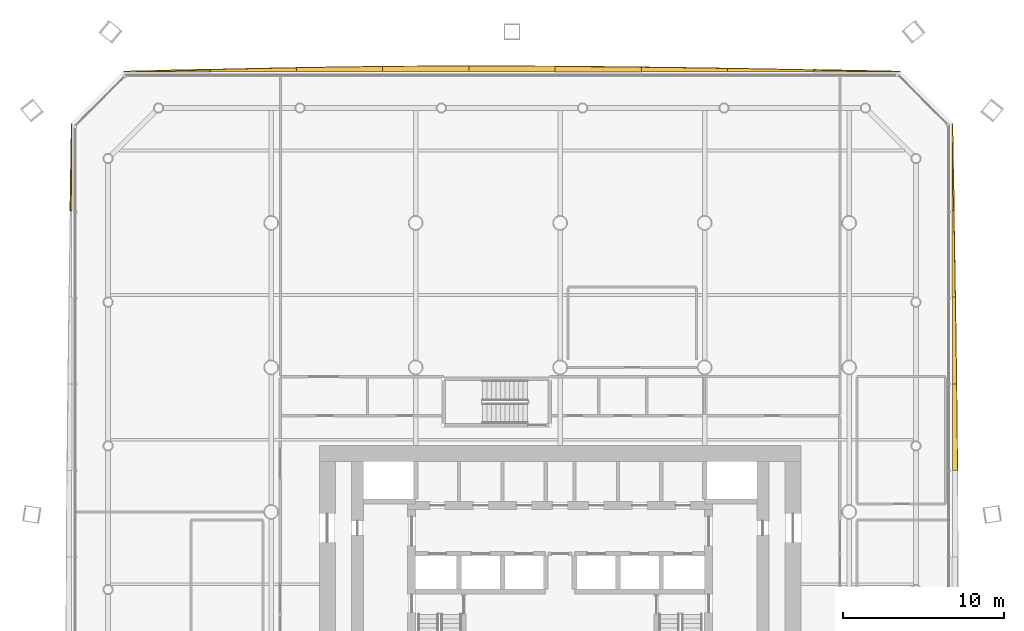
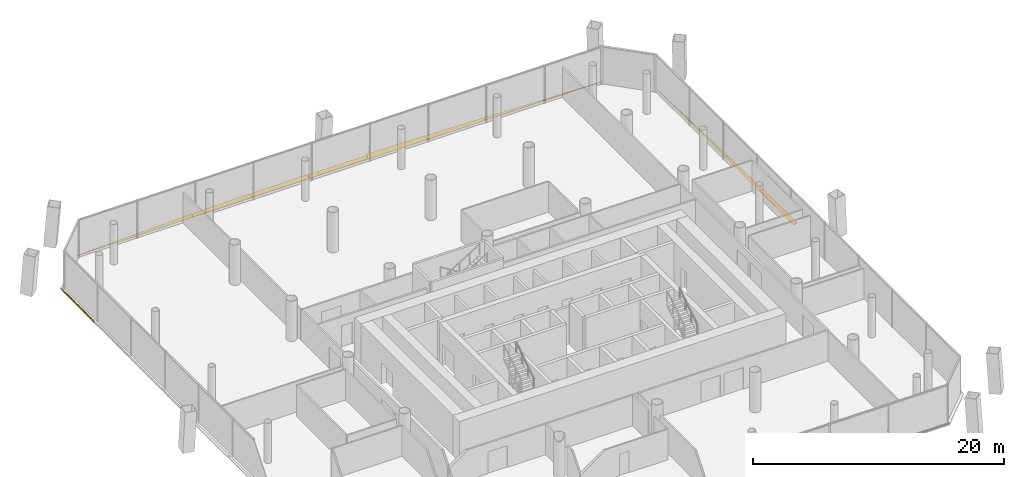
# One storey, part 22 of 22: 14 shading devices.
"""IFC4 building model written with IfcOpenShell, lengths in metres."""

from ifc_helpers import new_model, si_unit, direction, frame, origin, place, context, subcontext, project, spatial, polyline, outline, extrude, material, layer, layer_set, type_object, element, save


model = new_model("IFC4")

# Units and contexts
model_context = context("Model", 3, precision=1e-05, world=origin(), true_north=direction((0.0, 1.0)))
body_context = subcontext(model_context, "Body", "Model", "MODEL_VIEW")
ifc_project = project(units=[si_unit("LENGTHUNIT", "METRE"), si_unit("AREAUNIT", "SQUARE_METRE"), si_unit("VOLUMEUNIT", "CUBIC_METRE"), si_unit("PLANEANGLEUNIT", "RADIAN"), si_unit("MASSUNIT", "GRAM", prefix="KILO")], contexts=[model_context])

# Site, building, storey
site_placement = place(None, origin())
site = spatial("IfcSite", under=ifc_project, at=site_placement, CompositionType="ELEMENT")
building_placement = place(site_placement, origin())
building = spatial("IfcBuilding", under=site, at=building_placement, Name="Tskaro Facet Tower", CompositionType="ELEMENT")
storey_placement = place(building_placement, frame((0.0, 0.0, 30.300048828125)))
storey = spatial("IfcBuildingStorey", under=building, at=storey_placement, Name="L06", CompositionType="ELEMENT", Elevation=30.300048828125)

# Shading devices
ifc_material = material(Name="Bronze anodised aluminium 6063-T6", Category="aluminium")
ifc_layer = layer(ifc_material, 0.06005859375, Name="Bronze anodised aluminium 6063-T6")
ifc_layer_set = layer_set([ifc_layer], Name="Bronze anodised aluminium 6063-T6")
shading_device_type = type_object("IfcShadingDeviceType", Name="Bronze sun blade (FN1)", PredefinedType="USERDEFINED", material=ifc_layer_set)
shading_device_1_placement = place(storey_placement, frame((24.4267578125, 2.579345703125, 0.054443359375), z_axis=(-0.422529960316, 7.048653e-06, 0.906348957403), x_axis=(2.978267e-06, 0.999999999975, -6.388539e-06)))
element("IfcShadingDevice", 1, at=shading_device_1_placement, inside=storey, type_object=shading_device_type, Name="Fin blade east 6", ObjectType="FIN", PredefinedType="USERDEFINED", context=body_context, shape_type="SweptSolid", body=[
    extrude(outline(polyline([(0.0, 0.0), (5.397705077990912, 2.286017020366861e-21), (5.39770507790232, -0.29523224293586614), (4.722900391018381, -0.3040817216956177), (4.048339843305204, -0.31248864725350145), (3.373535156632206, -0.3202467061523263), (2.6987304692320904, -0.3277834884502173), (2.0241699210027377, -0.33487771754624046), (1.349365234540679, -0.34154435658413873), (0.6748046872493824, -0.34776844242016913), (-5.614382970082134e-10, -0.35344681832573627), (0.0, 0.0)])), origin(), (0.0, 0.0, -1.0), 0.06005859375),
])
shading_device_2_placement = place(storey_placement, frame((24.422119140625, 7.97705078125, 0.052001953125), z_axis=(-0.49986575174, 1.373544e-05, 0.866102898072), x_axis=(6.865876e-06, 0.999999999906, -1.1896304e-05)))
element("IfcShadingDevice", 2, at=shading_device_2_placement, inside=storey, type_object=shading_device_type, Name="Fin blade east 7", ObjectType="FIN", PredefinedType="USERDEFINED", context=body_context, shape_type="SweptSolid", body=[
    extrude(outline(polyline([(0.0, 0.0), (5.397705077615829, 0.0), (5.3977050782316125, -0.2218169023824075), (4.722900390264276, -0.2339602296322338), (4.048095703525072, -0.24577006844213314), (3.373535154058366, -0.2571570054462934), (2.6987304697754264, -0.26829986737633876), (2.0241699227649836, -0.279019827500645), (1.349365233453326, -0.2895283367220818), (0.6745605465979316, -0.29936986906366453), (-1.3087251085412209e-09, -0.3089999505023778), (0.0, 0.0)])), origin(), (0.0, 0.0, -1.0), 0.06005859375),
])
shading_device_3_placement = place(storey_placement, frame((24.41748046875, 13.374755859375, 0.049072265625), z_axis=(-0.57341682262, 1.5921157e-05, 0.8192637837), x_axis=(9.129459e-06, 0.999999999873, -1.3043627e-05)))
element("IfcShadingDevice", 3, at=shading_device_3_placement, inside=storey, type_object=shading_device_type, Name="Fin blade east 8", ObjectType="FIN", PredefinedType="USERDEFINED", context=body_context, shape_type="SweptSolid", body=[
    extrude(outline(polyline([(0.0, 0.0), (5.397460936815917, 0.0), (5.397460937981089, -0.122724786099313), (4.7229003889495305, -0.137425351089705), (4.0480957024774815, -0.1519859217386192), (3.373535156630402, -0.16654649238753338), (2.6987304688850884, -0.1805670375505343), (2.0239257811397757, -0.1945875827135352), (1.349365234975039, -0.2082681179628406), (0.6745605459564613, -0.22174863763992825), (-1.4815397641028713e-09, -0.23488914740332034), (0.0, 0.0)])), origin(), (0.0, 0.0, -1.0), 0.06005859375),
])
shading_device_4_placement = place(storey_placement, frame((24.413330078125, 18.772216796875, 0.0458984375), z_axis=(-0.642179566617, -5.009546e-06, 0.766554240869), x_axis=(-3.217028e-06, 0.999999999987, 3.840089e-06)))
element("IfcShadingDevice", 4, at=shading_device_4_placement, inside=storey, type_object=shading_device_type, Name="Fin blade east 9", ObjectType="FIN", PredefinedType="USERDEFINED", context=body_context, shape_type="SweptSolid", body=[
    extrude(outline(polyline([(0.0, 0.0), (5.397705078057271, 0.0), (4.723144530815104, -0.016817205980976132), (4.048339843733348, -0.03344726493048772), (3.373779296339067, -0.04992054175924123), (2.698974609105196, -0.0662066715565302), (2.02416992202344, -0.08283673050604179), (1.349609375414566, -0.09912286030333076), (0.674804688028581, -0.11506506094839711), (-1.4281162621445494e-10, -0.13119440862492798), (0.0, 0.0)])), origin(), (0.0, 0.0, -1.0), 0.06005859375),
])
shading_device_5_placement = place(storey_placement, frame((21.169921875, 27.4267578125, 0.054443359375), z_axis=(-1.7256177e-05, -0.422242874178, 0.90648273834), x_axis=(-0.999999999851, 7.286298e-06, -1.5642426e-05)))
element("IfcShadingDevice", 5, at=shading_device_5_placement, inside=storey, type_object=shading_device_type, Name="Fin blade north 1", ObjectType="FIN", PredefinedType="USERDEFINED", context=body_context, shape_type="SweptSolid", body=[
    extrude(outline(polyline([(0.0, 0.0), (5.37109374920031, -4.549493369041652e-21), (5.37109375080184, -0.1187301457243101), (4.699707031566006, -0.10420227957839649), (4.028320312330174, -0.08967441343248289), (3.3569335913154585, -0.07492523802424629), (2.685546874119696, -0.060072975976790836), (2.014160155145052, -0.044999404667012376), (1.3427734379492886, -0.03014714261955692), (0.6713867189746443, -0.01507357130977846), (0.0, 0.0)])), origin(), (0.0, 0.0, -1.0), 0.06005859375),
])
shading_device_6_placement = place(storey_placement, frame((15.798828125, 27.422119140625, 0.052001953125), z_axis=(-1.3025857e-05, -0.499901582279, 0.866082217729), x_axis=(-0.999999999915, 6.511647e-06, -1.1281463e-05)))
element("IfcShadingDevice", 6, at=shading_device_6_placement, inside=storey, type_object=shading_device_type, Name="Fin blade north 2", ObjectType="FIN", PredefinedType="USERDEFINED", context=body_context, shape_type="SweptSolid", body=[
    extrude(outline(polyline([(0.0, 0.0), (5.371093749544335, -4.549493369041652e-21), (5.371093750287325, -0.23647347328596308), (4.69970703007629, -0.2235737606006014), (4.028320313784024, -0.21021850949179144), (3.356933591557981, -0.1965624129598167), (2.6855468748404636, -0.18266222385834924), (2.0141601565331895, -0.1685505889029262), (1.342773437800664, -0.15389401595484567), (0.6713867190681383, -0.1392374430067651), (-1.2541449575414039e-09, -0.124369424204729), (0.0, 0.0)])), origin(), (0.0, 0.0, -1.0), 0.06005859375),
])
shading_device_7_placement = place(storey_placement, frame((10.427734375, 27.41748046875, 0.049072265625), z_axis=(1.334636e-05, -0.573342762753, 0.819315614535), x_axis=(-0.999999999911, -7.652039e-06, 1.0934881e-05)))
element("IfcShadingDevice", 7, at=shading_device_7_placement, inside=storey, type_object=shading_device_type, Name="Fin blade north 3", ObjectType="FIN", PredefinedType="USERDEFINED", context=body_context, shape_type="SweptSolid", body=[
    extrude(outline(polyline([(0.0, 0.0), (5.371093749521636, 0.0), (5.371093751526983, -0.3442733959913401), (4.699707030414936, -0.33431303427518877), (4.028320312237763, -0.3236126116199194), (3.3569335932591136, -0.3125721844779772), (2.6855468753471623, -0.3009917246231395), (2.014160156633736, -0.28907126028162905), (1.3427734363173598, -0.27647078696677296), (0.6713867178691569, -0.2636702854256942), (4.876524997533885e-10, -0.25032975117172), (0.0, 0.0)])), origin(), (0.0, 0.0, -1.0), 0.06005859375),
])
shading_device_8_placement = place(storey_placement, frame((5.056640625, 27.413330078125, 0.0458984375), z_axis=(-8.167261e-06, -0.642680282977, 0.766134488067), x_axis=(-0.999999999967, 5.248938e-06, -6.257221e-06)))
element("IfcShadingDevice", 8, at=shading_device_8_placement, inside=storey, type_object=shading_device_type, Name="Fin blade north 4", ObjectType="FIN", PredefinedType="USERDEFINED", context=body_context, shape_type="SweptSolid", body=[
    extrude(outline(polyline([(0.0, 0.0), (5.371093749820863, 0.0), (5.37109375033151, -0.4323766265610358), (4.699707031451906, -0.42665625912191346), (4.02832031178315, -0.4200609492925873), (3.3569335938881983, -0.41296478617857135), (2.68554687495793, -0.4053376295930749), (2.0141601565199876, -0.3970225751701316), (1.3427734372928917, -0.3878325783569846), (0.6713867183119584, -0.378298632625114), (-1.7664912697903947e-10, -0.36807678905579666), (0.0, 0.0)])), origin(), (0.0, 0.0, -1.0), 0.06005859375),
])
shading_device_9_placement = place(storey_placement, frame((-0.314453125, 27.431396484375, 0.056396484375), z_axis=(5.680992e-06, -0.34173146761, 0.939797639927), x_axis=(-0.999999999984, -1.941374e-06, 5.338983e-06)))
element("IfcShadingDevice", 9, at=shading_device_9_placement, inside=storey, type_object=shading_device_type, Name="Fin blade north 5", ObjectType="FIN", PredefinedType="USERDEFINED", context=body_context, shape_type="SweptSolid", body=[
    extrude(outline(polyline([(0.0, 0.0), (5.371093749913327, 1.137373342260413e-21), (5.371093749702282, -0.37017298270087595), (5.295898437203495, -0.37017298270087595), (4.699707031437084, -0.3699435399176869), (4.028320312816359, -0.3691717810340339), (3.35693359384011, -0.3678577060499169), (2.6855468749823017, -0.3657718721821469), (2.014160156598462, -0.3634565955311879), (1.3427734370296014, -0.36028612946248995), (0.6713867184086771, -0.3566567778274139), (-5.677733503220597e-10, -0.35248511009187383), (0.0, 0.0)])), origin(), (0.0, 0.0, -1.0), 0.06005859375),
])
shading_device_10_placement = place(storey_placement, frame((-5.685546875, 27.4267578125, 0.054443359375), z_axis=(-1.5690302e-05, -0.422330642223, 0.90644185053), x_axis=(-0.999999999877, 6.626496e-06, -1.4222347e-05)))
element("IfcShadingDevice", 10, at=shading_device_10_placement, inside=storey, type_object=shading_device_type, Name="Fin blade north 6", ObjectType="FIN", PredefinedType="USERDEFINED", context=body_context, shape_type="SweptSolid", body=[
    extrude(outline(polyline([(0.0, 0.0), (5.371093749338857, -4.549493369041652e-21), (5.371093750105182, -0.35388939082424314), (4.699707030215712, -0.3606591696263315), (4.028320312417358, -0.36655883445467075), (3.3569335932378648, -0.37169149337622254), (2.685546876149487, -0.37595403832402513), (2.0141601560621756, -0.3792282780850984), (1.3427734380659784, -0.3816324038724225), (0.6713867170708472, -0.3830482244730172), (-1.8331690847194594e-09, -0.3835939310998628), (0.0, 0.0)])), origin(), (0.0, 0.0, -1.0), 0.06005859375),
])
shading_device_11_placement = place(storey_placement, frame((-11.056640625, 27.422119140625, 0.052001953125), z_axis=(2.0813729e-05, -0.500057813489, 0.865992022328), x_axis=(-0.999999999783, -1.0408068e-05, 1.8024524e-05)))
element("IfcShadingDevice", 11, at=shading_device_11_placement, inside=storey, type_object=shading_device_type, Name="Fin blade north 7", ObjectType="FIN", PredefinedType="USERDEFINED", context=body_context, shape_type="SweptSolid", body=[
    extrude(outline(polyline([(0.0, 0.0), (5.371093748836591, 0.0), (5.37109374994094, -0.28307849670211943), (4.699707028180816, -0.29652312024896155), (4.028320311502759, -0.30954489612855995), (3.3569335936467604, -0.321688231652997), (2.685546874612822, -0.3329531268222727), (2.014160156260429, -0.34367308989715684), (1.342773439271129, -0.35330318878325767), (0.6713867185628561, -0.36226627114781906), (-3.323357027443822e-09, -0.37035091315721913), (0.0, 0.0)])), origin(), (0.0, 0.0, -1.0), 0.06005859375),
])
shading_device_12_placement = place(storey_placement, frame((-16.427734375, 27.41748046875, 0.049072265625), z_axis=(-1.2483792e-05, -0.573370353695, 0.819296306197), x_axis=(-0.999999999922, 7.157836e-06, -1.0227925e-05)))
element("IfcShadingDevice", 12, at=shading_device_12_placement, inside=storey, type_object=shading_device_type, Name="Fin blade north 8", ObjectType="FIN", PredefinedType="USERDEFINED", context=body_context, shape_type="SweptSolid", body=[
    extrude(outline(polyline([(0.0, 0.0), (5.371093749581472, 0.0), (5.371093748854814, -0.16214631234878943), (4.699707032128036, -0.18110706898092585), (4.028320311906222, -0.19966777858852103), (3.3569335949309926, -0.21774849869080845), (2.6855468744607265, -0.23542917176855466), (2.0141601554895265, -0.2524298318287225), (1.342773438017393, -0.2687504788713119), (0.6713867177997558, -0.284331072380571), (-1.6683481398043535e-09, -0.2995716593810408), (0.0, 0.0)])), origin(), (0.0, 0.0, -1.0), 0.06005859375),
])
shading_device_13_placement = place(storey_placement, frame((-21.798828125, 27.413330078125, 0.0458984375), z_axis=(-2.464689e-06, -0.642335766421, 0.766423357662), x_axis=(-0.999999999997, 1.583158e-06, -1.888995e-06)))
element("IfcShadingDevice", 13, at=shading_device_13_placement, inside=storey, type_object=shading_device_type, Name="Fin blade north 9", ObjectType="FIN", PredefinedType="USERDEFINED", context=body_context, shape_type="SweptSolid", body=[
    extrude(outline(polyline([(0.0, 0.0), (5.371093749983686, -1.137373342260413e-21), (4.699707031081998, -0.02235045050182482), (4.028320312641491, -0.04454408074817518), (3.356933593814471, -0.0665505959169708), (2.685546875062118, -0.08821317575273722), (2.0141601558485847, -0.1100325758439781), (1.3427734375574123, -0.13153833542427007), (0.6713867189543938, -0.15251304459397808), (-3.513755411821462e-11, -0.17330063868613138), (0.0, 0.0)])), origin(), (0.0, 0.0, -1.0), 0.06005859375),
])
shading_device_14_placement = place(storey_placement, frame((-30.4267578125, 24.169921875, 0.054443359375), z_axis=(0.42182355249, 2.5964317e-05, 0.906677941659), x_axis=(1.0952361e-05, -0.999999999663, 2.3541274e-05)))
element("IfcShadingDevice", 14, at=shading_device_14_placement, inside=storey, type_object=shading_device_type, Name="Fin blade west 1", ObjectType="FIN", PredefinedType="USERDEFINED", context=body_context, shape_type="SweptSolid", body=[
    extrude(outline(polyline([(0.0, 0.0), (5.397705076305581, 0.0), (5.397705079931994, -0.09404000020132187), (4.722900392690221, -0.08246196735046445), (4.048095699701066, -0.07078095023382772), (3.3735351557581272, -0.058981560463545385), (2.698730468516354, -0.047403527612687964), (2.023925778201116, -0.035501153576626324), (1.349365234258177, -0.023701763806343982), (0.6745605439429391, -0.011799389770282342), (0.0, 0.0)])), origin(), (0.0, 0.0, -1.0), 0.06005859375),
])

save(model, "model.ifc")
